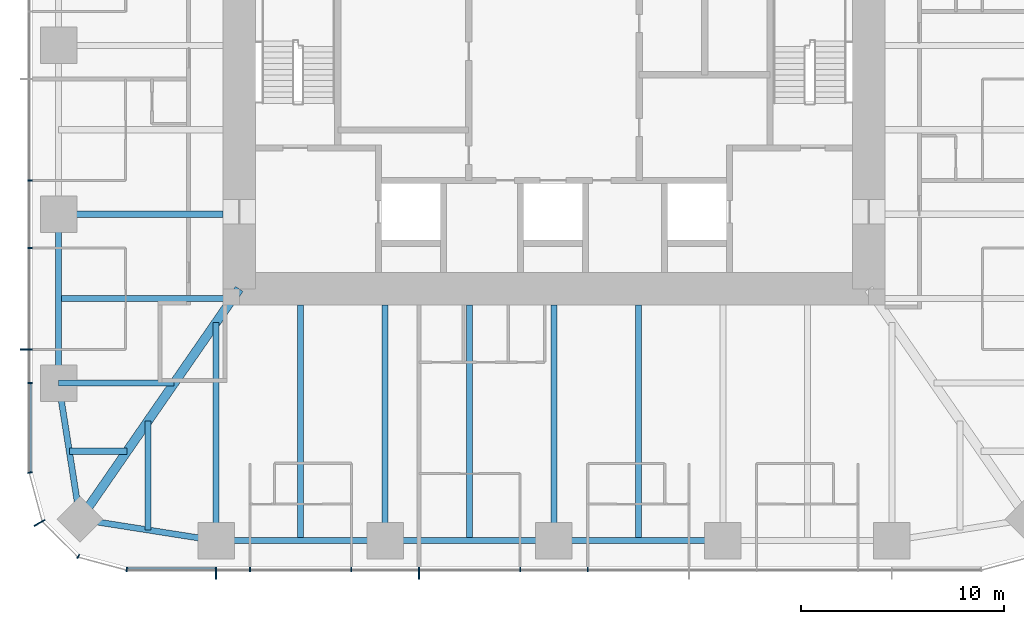
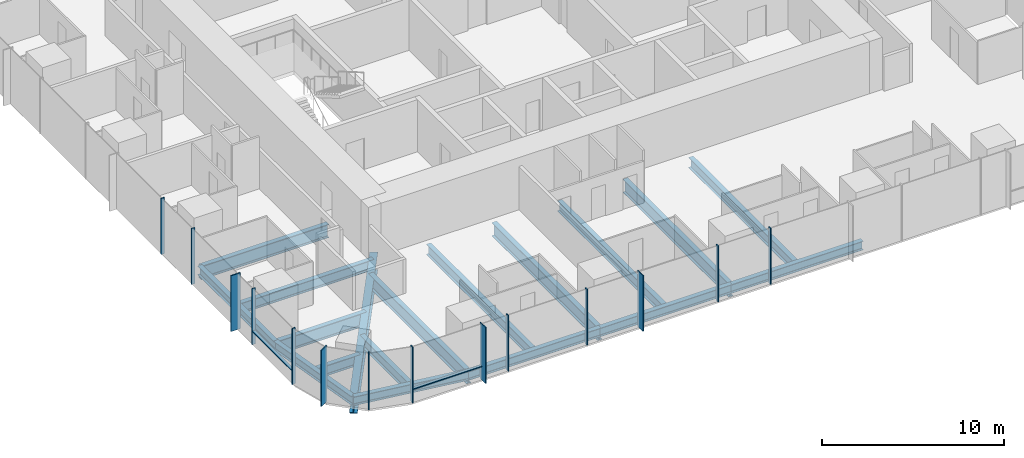
# One storey, part 2 of 13: 18 beams, 16 members, 3 elements without a shape of their own.
"""IFC4 building model written with IfcOpenShell, lengths in metres."""

from ifc_helpers import new_model, si_unit, direction, frame, origin, origin_2d, place, context, subcontext, project, spatial, rectangle, i_section, extrude, material, material_profile, profile_set, type_object, element, aggregate, save


model = new_model("IFC4")

# Units and contexts
model_context = context("Model", 3, precision=1e-05, world=origin(), true_north=direction((0.0, 1.0)))
body_context = subcontext(model_context, "Body", "Model", "MODEL_VIEW")
ifc_project = project(units=[si_unit("LENGTHUNIT", "METRE"), si_unit("AREAUNIT", "SQUARE_METRE"), si_unit("VOLUMEUNIT", "CUBIC_METRE"), si_unit("PLANEANGLEUNIT", "RADIAN"), si_unit("MASSUNIT", "GRAM", prefix="KILO")], contexts=[model_context])

# Site, building, storey
site_placement = place(None, origin())
site = spatial("IfcSite", under=ifc_project, at=site_placement, CompositionType="ELEMENT")
building_placement = place(site_placement, origin())
building = spatial("IfcBuilding", under=site, at=building_placement, Name="Khuree Lantern Residences", CompositionType="ELEMENT")
storey_placement = place(building_placement, frame((0.0, 0.0, 259.5)))
storey = spatial("IfcBuildingStorey", under=building, at=storey_placement, Name="L65", CompositionType="ELEMENT", Elevation=259.5)

# Beams
ifc_material_1 = material(Name="Steel S355", Category="steel")
ifc_material_profile_1 = material_profile(ifc_material_1, i_section(OverallWidth=0.300048828125, OverallDepth=0.68994140625, WebThickness=0.014404296875, FlangeThickness=0.027099609375, FilletRadius=0.027099609375, at=origin_2d()), Name="HE 700 A")
ifc_profile_set_1 = profile_set([ifc_material_profile_1], Name="Steel S355")
beam_type_1 = type_object("IfcBeamType", Name="B-34 SECONDARY BEAM HE 700 A", PredefinedType="BEAM", material=ifc_profile_set_1)
for number, where, z_axis, x_axis, name in (
    (1, (4.159912109375, -24.39990234375, -0.594970703125), (0.0, 1.0, 0.0), (-1.0, 0.0, 0.0), "Secondary beam S3"),
    (2, (-4.159912109375, -24.39990234375, -0.594970703125), (0.0, 1.0, 0.0), (-1.0, 0.0, 0.0), "Secondary beam S4"),
    (3, (-12.47998046875, -24.39990234375, -0.594970703125), (0.0, 1.0, 0.0), (-1.0, 0.0, 0.0), "Secondary beam S5"),
):
    element("IfcBeam", number, at=place(storey_placement, frame(where, z_axis=z_axis, x_axis=x_axis)), inside=storey, type_object=beam_type_1, Name=name, PredefinedType="BEAM", context=body_context, shape_type="SweptSolid", body=[
        extrude(i_section(OverallWidth=0.300048828125, OverallDepth=0.68994140625, WebThickness=0.014404296875, FlangeThickness=0.027099609375, FilletRadius=0.027099609375, at=origin_2d()), origin(), (0.0, 0.0, 1.0), 11.599853515625),
    ])
beam_1_placement = place(storey_placement, frame((-19.992919921875, -23.872802734375, -0.594970703125), z_axis=(0.0, 1.0, 0.0), x_axis=(-1.0, 0.0, 0.0)))
element("IfcBeam", 4, at=beam_1_placement, inside=storey, type_object=beam_type_1, Name="Secondary beam S6", PredefinedType="BEAM", context=body_context, shape_type="SweptSolid", body=[
    extrude(i_section(OverallWidth=0.300048828125, OverallDepth=0.68994140625, WebThickness=0.014404296875, FlangeThickness=0.027099609375, FilletRadius=0.027099609375, at=origin_2d()), origin(), (0.0, 0.0, 1.0), 5.375732421875),
])
beam_2_placement = place(storey_placement, frame((-23.872802734375, -19.992919921875, -0.594970703125), z_axis=(1.0, 0.0, 0.0), x_axis=(0.0, 1.0, 0.0)))
element("IfcBeam", 5, at=beam_2_placement, inside=storey, type_object=beam_type_1, Name="Secondary beam W1", PredefinedType="BEAM", context=body_context, shape_type="SweptSolid", body=[
    extrude(i_section(OverallWidth=0.300048828125, OverallDepth=0.68994140625, WebThickness=0.014404296875, FlangeThickness=0.027099609375, FilletRadius=0.027099609375, at=origin_2d()), origin(), (0.0, 0.0, 1.0), 2.845703125),
])
beam_3_placement = place(storey_placement, frame((-24.39990234375, -12.47998046875, -0.594970703125), z_axis=(1.0, 0.0, 0.0), x_axis=(0.0, 1.0, 0.0)))
element("IfcBeam", 6, at=beam_3_placement, inside=storey, type_object=beam_type_1, Name="Secondary beam W2", PredefinedType="BEAM", context=body_context, shape_type="SweptSolid", body=[
    extrude(i_section(OverallWidth=0.300048828125, OverallDepth=0.68994140625, WebThickness=0.014404296875, FlangeThickness=0.027099609375, FilletRadius=0.027099609375, at=origin_2d()), origin(), (0.0, 0.0, 1.0), 8.56787109375),
])
ifc_material_profile_2 = material_profile(ifc_material_1, i_section(OverallWidth=0.300048828125, OverallDepth=0.590087890625, WebThickness=0.012939453125, FlangeThickness=0.02490234375, FilletRadius=0.027099609375, at=origin_2d()), Name="HE 600 A")
ifc_profile_set_2 = profile_set([ifc_material_profile_2], Name="Steel S355")
beam_type_2 = type_object("IfcBeamType", Name="E-34 SPANDREL BEAM HE 600 A", PredefinedType="SPANDREL", material=ifc_profile_set_2)
for number, where, z_axis, x_axis, name in (
    (7, (8.320068359375, -24.39990234375, -0.544921875), (-1.0, 0.0, 0.0), (0.0, -1.0, 0.0), "Spandrel beam S3"),
    (8, (0.0, -24.39990234375, -0.544921875), (-1.0, 0.0, 0.0), (0.0, -1.0, 0.0), "Spandrel beam S4"),
):
    element("IfcBeam", number, at=place(storey_placement, frame(where, z_axis=z_axis, x_axis=x_axis)), inside=storey, type_object=beam_type_2, Name=name, PredefinedType="SPANDREL", context=body_context, shape_type="SweptSolid", body=[
        extrude(i_section(OverallWidth=0.300048828125, OverallDepth=0.590087890625, WebThickness=0.012939453125, FlangeThickness=0.02490234375, FilletRadius=0.027099609375, at=origin_2d()), origin(), (0.0, 0.0, 1.0), 8.320068359375),
    ])
beam_4_placement = place(storey_placement, frame((-8.320068359375, -24.39990234375, -0.544921875), z_axis=(-1.0, 0.0, 0.0), x_axis=(0.0, -1.0, 0.0)))
element("IfcBeam", 9, at=beam_4_placement, inside=storey, type_object=beam_type_2, Name="Spandrel beam S5", PredefinedType="SPANDREL", context=body_context, shape_type="SweptSolid", body=[
    extrude(i_section(OverallWidth=0.300048828125, OverallDepth=0.590087890625, WebThickness=0.012939453125, FlangeThickness=0.02490234375, FilletRadius=0.027099609375, at=origin_2d()), origin(), (0.0, 0.0, 1.0), 8.31982421875),
])
for number, where, z_axis, x_axis, name in (
    (10, (-16.639892578125, -24.39990234375, -0.544921875), (-0.98786743189, 0.155299507442, 0.0), (-0.155299507442, -0.98786743189, 0.0), "Spandrel beam S6"),
    (11, (-23.345703125, -23.345703125, -0.544921875), (-0.155299507442, 0.98786743189, 0.0), (-0.98786743189, -0.155299507442, 0.0), "Spandrel beam W1"),
):
    element("IfcBeam", number, at=place(storey_placement, frame(where, z_axis=z_axis, x_axis=x_axis)), inside=storey, type_object=beam_type_2, Name=name, PredefinedType="SPANDREL", context=body_context, shape_type="SweptSolid", body=[
        extrude(i_section(OverallWidth=0.300048828125, OverallDepth=0.590087890625, WebThickness=0.012939453125, FlangeThickness=0.02490234375, FilletRadius=0.027099609375, at=origin_2d()), origin(), (0.0, 0.0, 1.0), 6.7880859375),
    ])
beam_5_placement = place(storey_placement, frame((-24.39990234375, -16.639892578125, -0.544921875), z_axis=(0.0, 1.0, 0.0), x_axis=(-1.0, 0.0, 0.0)))
element("IfcBeam", 12, at=beam_5_placement, inside=storey, type_object=beam_type_2, Name="Spandrel beam W2", PredefinedType="SPANDREL", context=body_context, shape_type="SweptSolid", body=[
    extrude(i_section(OverallWidth=0.300048828125, OverallDepth=0.590087890625, WebThickness=0.012939453125, FlangeThickness=0.02490234375, FilletRadius=0.027099609375, at=origin_2d()), origin(), (0.0, 0.0, 1.0), 8.31982421875),
])

# Curtain wall, member
ifc_material_2 = material(Name="Bronze anodised aluminium", Category="aluminium")
curtain_wall_type_1 = type_object("IfcCurtainWallType", Name="CW-T1 TOWER FACE CURTAIN WALL", PredefinedType="USERDEFINED", material=ifc_material_2)
curtain_wall_1_placement = place(storey_placement, origin())
curtain_wall_1 = element("IfcCurtainWall", 13, at=curtain_wall_1_placement, inside=storey, type_object=curtain_wall_type_1, Name="L65 WEST FACE CURTAIN WALL", ObjectType="Stick-built curtain wall", PredefinedType="USERDEFINED")
ifc_material_profile_3 = material_profile(ifc_material_2, rectangle(XDim=0.06494140625, YDim=0.60009765625, at=origin_2d()), Name="F1 65X600")
ifc_profile_set_3 = profile_set([ifc_material_profile_3], Name="Bronze anodised aluminium")
member_type_1 = type_object("IfcMemberType", Name="F1 BRONZE FIN MULLION TOWER 65X600", PredefinedType="MULLION", material=ifc_profile_set_3)
member_1_placement = place(storey_placement, frame((-26.0, -14.97607421875, 0.0), z_axis=(0.0, 0.0, 1.0), x_axis=(0.0, -1.0, 0.0)))
member_1 = element("IfcMember", 14, at=member_1_placement, type_object=member_type_1, Name="L65 WEST FACE FIN MULLION 41", PredefinedType="MULLION", context=body_context, shape_type="SweptSolid", body=[
    extrude(rectangle(XDim=0.06494140625, YDim=0.60009765625, at=origin_2d()), origin(), (0.0, 0.0, 1.0), 3.75),
])

curtain_wall_type_2 = type_object("IfcCurtainWallType", Name="CW-T2 TOWER CORNER CURTAIN WALL", PredefinedType="USERDEFINED", material=ifc_material_2)
curtain_wall_2_placement = place(storey_placement, origin())
curtain_wall_2 = element("IfcCurtainWall", 15, at=curtain_wall_2_placement, inside=storey, type_object=curtain_wall_type_2, Name="L65 SOUTH-WEST CORNER CURTAIN WALL", ObjectType="Faceted corner curtain wall", PredefinedType="USERDEFINED")
member_2_placement = place(storey_placement, frame((-25.3369140625, -23.52490234375, 0.0), z_axis=(0.0, 0.0, 1.0), x_axis=(0.499999989586, -0.866025409797, 0.0)))
member_2 = element("IfcMember", 16, at=member_2_placement, type_object=member_type_1, Name="L65 SOUTH-WEST CORNER FIN MULLION 44", PredefinedType="MULLION", context=body_context, shape_type="SweptSolid", body=[
    extrude(rectangle(XDim=0.06494140625, YDim=0.60009765625, at=origin_2d()), origin(), (0.0, 0.0, 1.0), 3.75),
])

# Curtain wall, members
curtain_wall_3_placement = place(storey_placement, origin())
curtain_wall_3 = element("IfcCurtainWall", 17, at=curtain_wall_3_placement, inside=storey, type_object=curtain_wall_type_1, Name="L65 SOUTH FACE CURTAIN WALL", ObjectType="Stick-built curtain wall", PredefinedType="USERDEFINED")
member_3_placement = place(storey_placement, frame((-16.639892578125, -26.0, 0.0), z_axis=(0.0, 0.0, 1.0), x_axis=(1.0, 0.0, 0.0)))
member_3 = element("IfcMember", 18, at=member_3_placement, type_object=member_type_1, Name="L65 SOUTH FACE FIN MULLION 47", PredefinedType="MULLION", context=body_context, shape_type="SweptSolid", body=[
    extrude(rectangle(XDim=0.06494140625, YDim=0.60009765625, at=origin_2d()), origin(), (0.0, 0.0, 1.0), 3.75),
])
member_4_placement = place(storey_placement, frame((-6.656005859375, -26.0, 0.0), z_axis=(0.0, 0.0, 1.0), x_axis=(1.0, 0.0, 0.0)))
member_4 = element("IfcMember", 19, at=member_4_placement, type_object=member_type_1, Name="L65 SOUTH FACE FIN MULLION 50", PredefinedType="MULLION", context=body_context, shape_type="SweptSolid", body=[
    extrude(rectangle(XDim=0.06494140625, YDim=0.60009765625, at=origin_2d()), origin(), (0.0, 0.0, 1.0), 3.75),
])

# Beams
ifc_material_profile_4 = material_profile(ifc_material_1, i_section(OverallWidth=0.300048828125, OverallDepth=0.89990234375, WebThickness=0.0185546875, FlangeThickness=0.034912109375, FilletRadius=0.030029296875, at=origin_2d()), Name="HE 900 B")
ifc_profile_set_4 = profile_set([ifc_material_profile_4], Name="Steel S355")
beam_type_3 = type_object("IfcBeamType", Name="G-34 GIRDER HE 900 B", PredefinedType="BEAM", material=ifc_profile_set_4)
for number, where, z_axis, x_axis, name in (
    (20, (0.0, -24.39990234375, -0.699951171875), (0.0, 1.0, 0.0), (-1.0, 0.0, 0.0), "Girder S3"),
    (21, (-8.320068359375, -24.39990234375, -0.699951171875), (0.0, 1.0, 0.0), (-1.0, 0.0, 0.0), "Girder S4"),
):
    element("IfcBeam", number, at=place(storey_placement, frame(where, z_axis=z_axis, x_axis=x_axis)), inside=storey, type_object=beam_type_3, Name=name, PredefinedType="BEAM", context=body_context, shape_type="SweptSolid", body=[
        extrude(i_section(OverallWidth=0.300048828125, OverallDepth=0.89990234375, WebThickness=0.0185546875, FlangeThickness=0.034912109375, FilletRadius=0.030029296875, at=origin_2d()), origin(), (0.0, 0.0, 1.0), 11.599853515625),
    ])
beam_6_placement = place(storey_placement, frame((-16.639892578125, -24.39990234375, -0.699951171875), z_axis=(0.0, 1.0, 0.0), x_axis=(-1.0, 0.0, 0.0)))
element("IfcBeam", 22, at=beam_6_placement, inside=storey, type_object=beam_type_3, Name="Girder S5", PredefinedType="BEAM", context=body_context, shape_type="SweptSolid", body=[
    extrude(i_section(OverallWidth=0.300048828125, OverallDepth=0.89990234375, WebThickness=0.0185546875, FlangeThickness=0.034912109375, FilletRadius=0.030029296875, at=origin_2d()), origin(), (0.0, 0.0, 1.0), 10.751220703125),
])
beam_7_placement = place(storey_placement, frame((-24.39990234375, -16.639892578125, -0.699951171875), z_axis=(1.0, 0.0, 0.0), x_axis=(0.0, 1.0, 0.0)))
element("IfcBeam", 23, at=beam_7_placement, inside=storey, type_object=beam_type_3, Name="Girder W1", PredefinedType="BEAM", context=body_context, shape_type="SweptSolid", body=[
    extrude(i_section(OverallWidth=0.300048828125, OverallDepth=0.89990234375, WebThickness=0.0185546875, FlangeThickness=0.034912109375, FilletRadius=0.030029296875, at=origin_2d()), origin(), (0.0, 0.0, 1.0), 5.69140625),
])
beam_8_placement = place(storey_placement, frame((-24.39990234375, -8.320068359375, -0.699951171875), z_axis=(1.0, 0.0, 0.0), x_axis=(0.0, 1.0, 0.0)))
element("IfcBeam", 24, at=beam_8_placement, inside=storey, type_object=beam_type_3, Name="Girder W2", PredefinedType="BEAM", context=body_context, shape_type="SweptSolid", body=[
    extrude(i_section(OverallWidth=0.300048828125, OverallDepth=0.89990234375, WebThickness=0.0185546875, FlangeThickness=0.034912109375, FilletRadius=0.030029296875, at=origin_2d()), origin(), (0.0, 0.0, 1.0), 8.099853515625),
])
ifc_material_profile_5 = material_profile(ifc_material_1, i_section(OverallWidth=0.449951171875, OverallDepth=1.199951171875, WebThickness=0.02490234375, FlangeThickness=0.044921875, at=origin_2d()), Name="WELDED I 1200X450X25X45")
ifc_profile_set_5 = profile_set([ifc_material_profile_5], Name="Steel S355")
beam_type_4 = type_object("IfcBeamType", Name="GD-34 CORNER GIRDER WELDED I 1200X450X25X45", PredefinedType="BEAM", material=ifc_profile_set_5)
beam_9_placement = place(storey_placement, frame((-23.345703125, -23.345703125, -0.85009765625), z_axis=(0.56876813501, 0.822497907959, 0.0), x_axis=(-0.822497907959, 0.56876813501, 0.0)))
element("IfcBeam", 25, at=beam_9_placement, inside=storey, type_object=beam_type_4, Name="Corner girder SW", PredefinedType="BEAM", context=body_context, shape_type="SweptSolid", body=[
    extrude(i_section(OverallWidth=0.449951171875, OverallDepth=1.199951171875, WebThickness=0.02490234375, FlangeThickness=0.044921875, at=origin_2d()), origin(), (0.0, 0.0, 1.0), 13.794189453125),
])

# Member
ifc_material_profile_6 = material_profile(ifc_material_2, rectangle(XDim=0.06494140625, YDim=0.219970703125, at=origin_2d()), Name="M1 65X220")
ifc_profile_set_6 = profile_set([ifc_material_profile_6], Name="Bronze anodised aluminium")
member_type_2 = type_object("IfcMemberType", Name="M1 BRONZE MULLION TOWER 65X220", PredefinedType="MULLION", material=ifc_profile_set_6)
member_5_placement = place(storey_placement, frame((-25.81005859375, -6.656005859375, 0.0), z_axis=(0.0, 0.0, 1.0), x_axis=(0.0, -1.0, 0.0)))
member_5 = element("IfcMember", 26, at=member_5_placement, type_object=member_type_2, Name="L65 WEST FACE MULLION 39", PredefinedType="MULLION", context=body_context, shape_type="SweptSolid", body=[
    extrude(rectangle(XDim=0.06494140625, YDim=0.219970703125, at=origin_2d()), origin(), (0.0, 0.0, 1.0), 3.75),
])

member_6_placement = place(storey_placement, frame((-25.81005859375, -9.98388671875, 0.0), z_axis=(0.0, 0.0, 1.0), x_axis=(0.0, -1.0, 0.0)))
member_6 = element("IfcMember", 27, at=member_6_placement, type_object=member_type_2, Name="L65 WEST FACE MULLION 40", PredefinedType="MULLION", context=body_context, shape_type="SweptSolid", body=[
    extrude(rectangle(XDim=0.06494140625, YDim=0.219970703125, at=origin_2d()), origin(), (0.0, 0.0, 1.0), 3.75),
])

member_7_placement = place(storey_placement, frame((-25.81005859375, -16.639892578125, 0.0), z_axis=(0.0, 0.0, 1.0), x_axis=(0.0, -1.0, 0.0)))
member_7 = element("IfcMember", 28, at=member_7_placement, type_object=member_type_2, Name="L65 WEST FACE MULLION 42", PredefinedType="MULLION", context=body_context, shape_type="SweptSolid", body=[
    extrude(rectangle(XDim=0.06494140625, YDim=0.219970703125, at=origin_2d()), origin(), (0.0, 0.0, 1.0), 3.75),
])

member_8_placement = place(storey_placement, frame((-25.811767578125, -21.044921875, 0.0), z_axis=(0.0, 0.0, 1.0), x_axis=(0.130526180298, -0.991444862943, 0.0)))
member_8 = element("IfcMember", 29, at=member_8_placement, type_object=member_type_2, Name="L65 SOUTH-WEST CORNER MULLION 43", PredefinedType="MULLION", context=body_context, shape_type="SweptSolid", body=[
    extrude(rectangle(XDim=0.06494140625, YDim=0.219970703125, at=origin_2d()), origin(), (0.0, 0.0, 1.0), 3.75),
])

member_9_placement = place(storey_placement, frame((-23.429931640625, -25.17236328125, 0.0), z_axis=(0.0, 0.0, 1.0), x_axis=(0.866025409797, -0.499999989586, 0.0)))
member_9 = element("IfcMember", 30, at=member_9_placement, type_object=member_type_2, Name="L65 SOUTH-WEST CORNER MULLION 45", PredefinedType="MULLION", context=body_context, shape_type="SweptSolid", body=[
    extrude(rectangle(XDim=0.06494140625, YDim=0.219970703125, at=origin_2d()), origin(), (0.0, 0.0, 1.0), 3.75),
])

aggregate(curtain_wall_2, [member_8, member_2, member_9])

member_10_placement = place(storey_placement, frame((-21.044921875, -25.811767578125, 0.0), z_axis=(0.0, 0.0, 1.0), x_axis=(0.991444862943, -0.130526180298, 0.0)))
member_10 = element("IfcMember", 31, at=member_10_placement, type_object=member_type_2, Name="L65 SOUTH FACE MULLION 46", PredefinedType="MULLION", context=body_context, shape_type="SweptSolid", body=[
    extrude(rectangle(XDim=0.06494140625, YDim=0.219970703125, at=origin_2d()), origin(), (0.0, 0.0, 1.0), 3.75),
])

member_11_placement = place(storey_placement, frame((-14.97607421875, -25.81005859375, 0.0), z_axis=(0.0, 0.0, 1.0), x_axis=(1.0, 0.0, 0.0)))
member_11 = element("IfcMember", 32, at=member_11_placement, type_object=member_type_2, Name="L65 SOUTH FACE MULLION 48", PredefinedType="MULLION", context=body_context, shape_type="SweptSolid", body=[
    extrude(rectangle(XDim=0.06494140625, YDim=0.219970703125, at=origin_2d()), origin(), (0.0, 0.0, 1.0), 3.75),
])

member_12_placement = place(storey_placement, frame((-9.98388671875, -25.81005859375, 0.0), z_axis=(0.0, 0.0, 1.0), x_axis=(1.0, 0.0, 0.0)))
member_12 = element("IfcMember", 33, at=member_12_placement, type_object=member_type_2, Name="L65 SOUTH FACE MULLION 49", PredefinedType="MULLION", context=body_context, shape_type="SweptSolid", body=[
    extrude(rectangle(XDim=0.06494140625, YDim=0.219970703125, at=origin_2d()), origin(), (0.0, 0.0, 1.0), 3.75),
])

member_13_placement = place(storey_placement, frame((-1.6640625, -25.81005859375, 0.0), z_axis=(0.0, 0.0, 1.0), x_axis=(1.0, 0.0, 0.0)))
member_13 = element("IfcMember", 34, at=member_13_placement, type_object=member_type_2, Name="L65 SOUTH FACE MULLION 51", PredefinedType="MULLION", context=body_context, shape_type="SweptSolid", body=[
    extrude(rectangle(XDim=0.06494140625, YDim=0.219970703125, at=origin_2d()), origin(), (0.0, 0.0, 1.0), 3.75),
])

member_14_placement = place(storey_placement, frame((1.6640625, -25.81005859375, 0.0), z_axis=(0.0, 0.0, 1.0), x_axis=(1.0, 0.0, 0.0)))
member_14 = element("IfcMember", 35, at=member_14_placement, type_object=member_type_2, Name="L65 SOUTH FACE MULLION 52", PredefinedType="MULLION", context=body_context, shape_type="SweptSolid", body=[
    extrude(rectangle(XDim=0.06494140625, YDim=0.219970703125, at=origin_2d()), origin(), (0.0, 0.0, 1.0), 3.75),
])

ifc_material_profile_7 = material_profile(ifc_material_2, rectangle(XDim=0.179931640625, YDim=0.06494140625, at=origin_2d()), Name="T1 180X65")
ifc_profile_set_7 = profile_set([ifc_material_profile_7], Name="Bronze anodised aluminium")
member_type_3 = type_object("IfcMemberType", Name="TRANSOM T1 TOWER 180X65", PredefinedType="USERDEFINED", material=ifc_profile_set_7)
member_15_placement = place(storey_placement, frame((-25.820068359375, -16.672607421875, 0.89990234375), z_axis=(0.0, -1.0, 0.0), x_axis=(1.0, 0.0, 0.0)))
member_15 = element("IfcMember", 36, at=member_15_placement, type_object=member_type_3, Name="L65 WEST FACE TRANSOM 42.1", ObjectType="Transom", PredefinedType="USERDEFINED", context=body_context, shape_type="SweptSolid", body=[
    extrude(rectangle(XDim=0.179931640625, YDim=0.06494140625, at=origin_2d()), origin(), (0.0, 0.0, 1.0), 4.328857421875),
])

aggregate(curtain_wall_1, [member_5, member_6, member_1, member_7, member_15])

member_16_placement = place(storey_placement, frame((-21.00146484375, -25.820068359375, 0.89990234375), z_axis=(1.0, 0.0, 0.0), x_axis=(0.0, 1.0, 0.0)))
member_16 = element("IfcMember", 37, at=member_16_placement, type_object=member_type_3, Name="L65 SOUTH FACE TRANSOM 46.1", ObjectType="Transom", PredefinedType="USERDEFINED", context=body_context, shape_type="SweptSolid", body=[
    extrude(rectangle(XDim=0.179931640625, YDim=0.06494140625, at=origin_2d()), origin(), (0.0, 0.0, 1.0), 4.328857421875),
])

aggregate(curtain_wall_3, [member_10, member_3, member_11, member_12, member_4, member_13, member_14, member_16])

save(model, "model.ifc")
